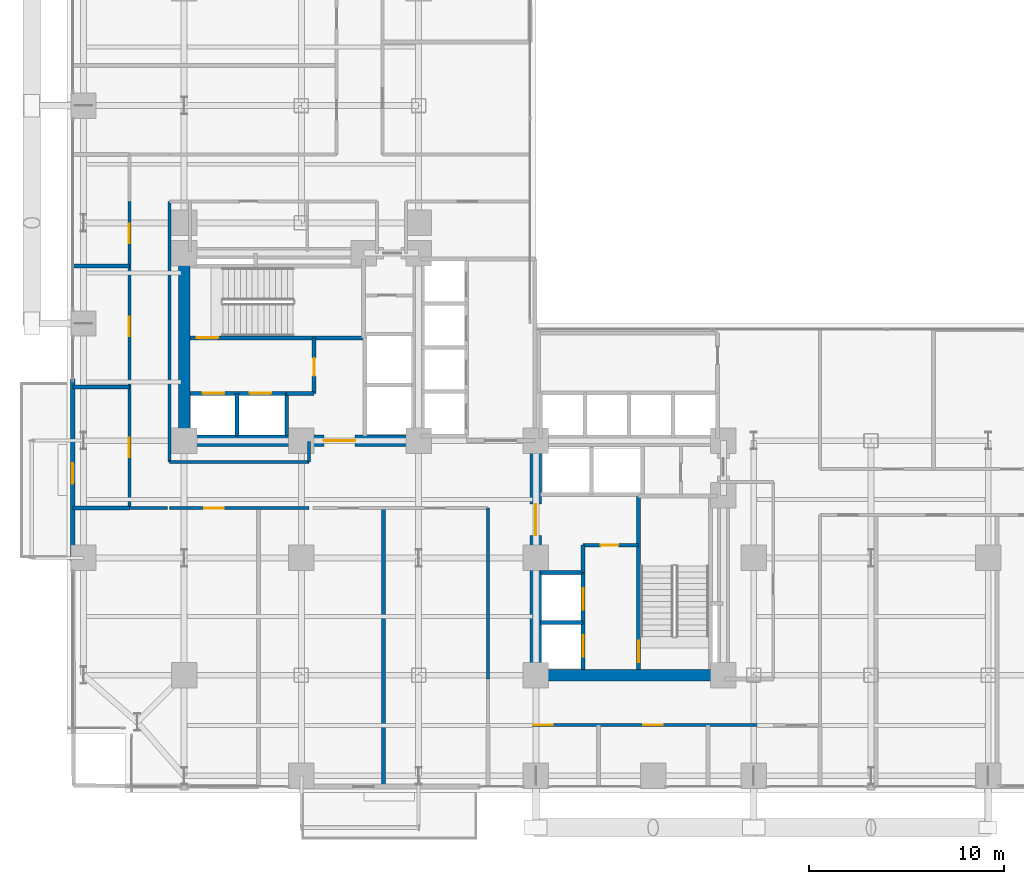
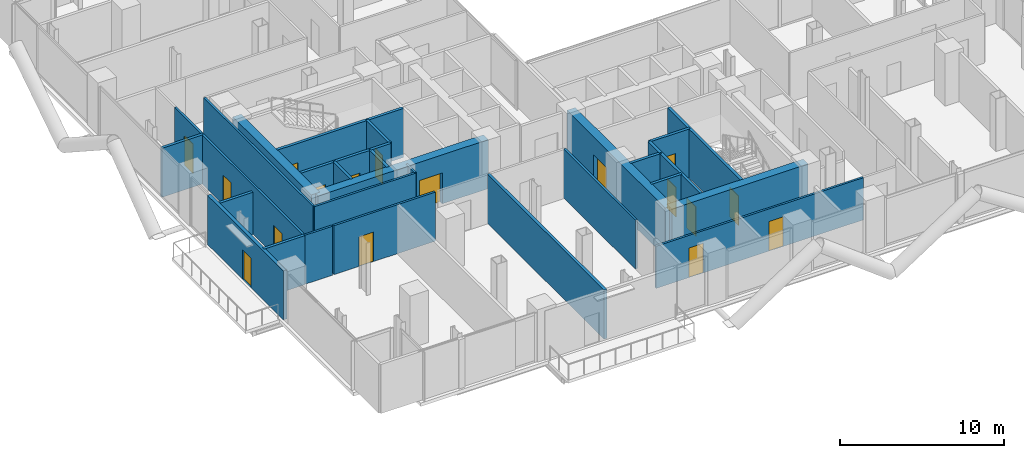
# One storey, part 20 of 25: 29 walls, 17 doors, 17 openings.
"""IFC4 building model written with IfcOpenShell, lengths in metres."""

from ifc_helpers import new_model, si_unit, direction, frame, frame_2d, origin, place, context, subcontext, project, spatial, rectangle, extrude, material, layer, layer_set, type_object, element, fill, save


model = new_model("IFC4")

# Units and contexts
model_context = context("Model", 3, precision=1e-05, world=origin(), true_north=direction((0.0, 1.0)))
body_context = subcontext(model_context, "Body", "Model", "MODEL_VIEW")
ifc_project = project(units=[si_unit("LENGTHUNIT", "METRE"), si_unit("AREAUNIT", "SQUARE_METRE"), si_unit("VOLUMEUNIT", "CUBIC_METRE"), si_unit("PLANEANGLEUNIT", "RADIAN"), si_unit("MASSUNIT", "GRAM", prefix="KILO"), si_unit("THERMODYNAMICTEMPERATUREUNIT", "KELVIN"), si_unit("POWERUNIT", "WATT")], contexts=[model_context])

# Site, building, storey
site_placement = place(None, origin())
site = spatial("IfcSite", under=ifc_project, at=site_placement, CompositionType="ELEMENT")
building_placement = place(site_placement, origin())
building = spatial("IfcBuilding", under=site, at=building_placement, Name="Svarakhadi Broadcast Tower", CompositionType="ELEMENT")
storey_placement = place(building_placement, frame((0.0, 0.0, 67.5)))
storey = spatial("IfcBuildingStorey", under=building, at=storey_placement, Name="L15", CompositionType="ELEMENT", Elevation=67.5)

# Walls
ifc_material_1 = material(Name="Double-Stud Acoustic Studio Partition STC-62", Category="gypsum")
ifc_layer_1 = layer(ifc_material_1, 0.199951171875)
ifc_layer_set_1 = layer_set([ifc_layer_1], Name="Double-Stud Acoustic Studio Partition STC-62")
wall_type_1 = type_object("IfcWallType", Name="Wall_Acoust_200", PredefinedType="PARTITIONING", material=ifc_layer_set_1)
wall_1_placement = place(storey_placement, frame((16.199951171875, 0.300048828125, 0.0), z_axis=(0.0, 0.0, 1.0), x_axis=(0.0, 1.0, 0.0)))
element("IfcWall", 1, at=wall_1_placement, inside=storey, type_object=wall_type_1, Name="L15 Central Commercial Catering Kitchen Wall", PredefinedType="PARTITIONING", context=body_context, shape_type="SweptSolid", body=[
    extrude(rectangle(XDim=14.25, YDim=0.199951171875, at=frame_2d((7.125, 0.0))), origin(), (0.0, 0.0, 1.0), 3.64990234375),
])
wall_2_placement = place(storey_placement, frame((0.300048828125, 14.550048828125, 0.0), z_axis=(0.0, 0.0, 1.0), x_axis=(1.0, 0.0, 0.0)))
element("IfcWall", 2, at=wall_2_placement, inside=storey, type_object=wall_type_1, Name="L15 Arabian Sea Commentary Booth Wall", PredefinedType="PARTITIONING", context=body_context, shape_type="SweptSolid", body=[
    extrude(rectangle(XDim=2.89990234375, YDim=0.199951171875, at=frame_2d((1.449951171875, 0.0))), origin(), (0.0, 0.0, 1.0), 3.64990234375),
])
wall_3_placement = place(storey_placement, frame((0.300048828125, 20.75, 0.0), z_axis=(0.0, 0.0, 1.0), x_axis=(1.0, 0.0, 0.0)))
element("IfcWall", 3, at=wall_3_placement, inside=storey, type_object=wall_type_1, Name="L15 Arabian Sea Commentary Booth Wall", PredefinedType="PARTITIONING", context=body_context, shape_type="SweptSolid", body=[
    extrude(rectangle(XDim=2.89990234375, YDim=0.199951171875, at=frame_2d((1.449951171875, 0.0))), origin(), (0.0, 0.0, 1.0), 3.14208984375),
])
wall_4_placement = place(storey_placement, frame((0.300048828125, 26.949951171875, 0.0), z_axis=(0.0, 0.0, 1.0), x_axis=(1.0, 0.0, 0.0)))
element("IfcWall", 4, at=wall_4_placement, inside=storey, type_object=wall_type_1, Name="L15 Live Translation Studio Wall", PredefinedType="PARTITIONING", context=body_context, shape_type="SweptSolid", body=[
    extrude(rectangle(XDim=2.89990234375, YDim=0.199951171875, at=frame_2d((1.449951171875, 0.0))), origin(), (0.0, 0.0, 1.0), 3.64990234375),
])

# Wall, opening, door
ifc_material_2 = material(Name="Concrete C40/50 (IS 456 M50)", Category="concrete")
ifc_layer_2 = layer(ifc_material_2, 0.239990234375)
ifc_layer_set_2 = layer_set([ifc_layer_2], Name="Concrete C40/50 (IS 456 M50)")
wall_type_2 = type_object("IfcWallType", Name="Wall_Ext_240", PredefinedType="SOLIDWALL", material=ifc_layer_set_2)
wall_5_placement = place(storey_placement, frame((0.300048828125, 11.85498046875, 0.0), z_axis=(0.0, 0.0, 1.0), x_axis=(0.0, 1.0, 0.0)))
wall_5 = element("IfcWall", 5, at=wall_5_placement, inside=storey, type_object=wall_type_2, Name="L15 West Tree Balcony Spandrel Wall", PredefinedType="SOLIDWALL", context=body_context, shape_type="SweptSolid", body=[
    extrude(rectangle(XDim=9.2900390625, YDim=0.239990234375, at=frame_2d((4.64501953125, 0.0))), origin(), (0.0, 0.0, 1.0), 3.64990234375),
])
opening_1_placement = place(wall_5_placement, frame((3.945068359375, 0.0, 0.0)))
opening_1 = element("IfcOpeningElement", 6, at=opening_1_placement, cuts=wall_5, Name="Opening ED-06", PredefinedType="OPENING", context=body_context, shape_type="SweptSolid", body=[
    extrude(rectangle(XDim=1.050048828125, YDim=2.199951171875, at=frame_2d((0.52490234375, 1.10009765625))), frame((0.0, 0.1298828125, 0.0), z_axis=(0.0, -1.0, 0.0), x_axis=(1.0, 0.0, 0.0)), (0.0, 0.0, 1.0), 0.260009765625),
])
ifc_material_3 = material(Name="Anodised Bronze Aluminium AA 6063-T6", Category="aluminium")
door_type_1 = type_object("IfcDoorType", Name="Door_Ext_ED06", OperationType="SINGLE_SWING_RIGHT", PredefinedType="DOOR", material=ifc_material_3)
door_1_placement = place(opening_1_placement, origin())
door_1 = element("IfcDoor", 7, at=door_1_placement, inside=storey, type_object=door_type_1, Name="L15 West Tree Balcony Door", OperationType="SINGLE_SWING_RIGHT", OverallHeight=2.199951171875, OverallWidth=1.050048828125, PredefinedType="DOOR", context=body_context, shape_type="SweptSolid", body=[
    extrude(rectangle(XDim=1.050048828125, YDim=2.199951171875, at=frame_2d((0.52490234375, 1.10009765625))), frame((0.0, 0.02490234375, 0.0), z_axis=(0.0, -1.0, 0.0), x_axis=(1.0, 0.0, 0.0)), (0.0, 0.0, 1.0), 0.050048828125),
])
fill(opening_1, door_1)

# Wall, openings, doors
ifc_material_4 = material(Name="Autoclaved Aerated Concrete Blockwork 150 mm", Category="masonry")
ifc_layer_3 = layer(ifc_material_4, 0.14990234375)
ifc_layer_set_3 = layer_set([ifc_layer_3], Name="Autoclaved Aerated Concrete Blockwork 150 mm")
wall_type_3 = type_object("IfcWallType", Name="Wall_Part_150", PredefinedType="PARTITIONING", material=ifc_layer_set_3)
wall_6_placement = place(storey_placement, frame((36.14990234375, 3.449951171875, 0.0), z_axis=(0.0, 0.0, 1.0), x_axis=(-1.0, 0.0, 0.0)))
wall_6 = element("IfcWall", 8, at=wall_6_placement, inside=storey, type_object=wall_type_3, Name="L15 Broadcast Corridor Wall", PredefinedType="PARTITIONING", context=body_context, shape_type="SweptSolid", body=[
    extrude(rectangle(XDim=14.599853515625, YDim=0.14990234375, at=frame_2d((7.2998046875, 0.0))), origin(), (0.0, 0.0, 1.0), 3.14208984375),
])
opening_2_placement = place(wall_6_placement, frame((11.27490234375, 0.0, 0.0)))
opening_2 = element("IfcOpeningElement", 9, at=opening_2_placement, cuts=wall_6, Name="Opening D-09", PredefinedType="OPENING", context=body_context, shape_type="SweptSolid", body=[
    extrude(rectangle(XDim=1.0, YDim=2.199951171875, at=frame_2d((0.5, 1.10009765625))), frame((0.0, 0.0849609375, 0.0), z_axis=(0.0, -1.0, 0.0), x_axis=(1.0, 0.0, 0.0)), (0.0, 0.0, 1.0), 0.169921875),
])
opening_3_placement = place(wall_6_placement, frame((5.64990234375, 0.0, 0.0)))
opening_3 = element("IfcOpeningElement", 10, at=opening_3_placement, cuts=wall_6, Name="Opening D-08", PredefinedType="OPENING", context=body_context, shape_type="SweptSolid", body=[
    extrude(rectangle(XDim=1.0, YDim=2.199951171875, at=frame_2d((0.5, 1.10009765625))), frame((0.0, 0.0849609375, 0.0), z_axis=(0.0, -1.0, 0.0), x_axis=(1.0, 0.0, 0.0)), (0.0, 0.0, 1.0), 0.169921875),
])
ifc_material_5 = material(Name="Solid-Core Teak Veneer Acoustic Timber Leaf", Category="wood")
door_type_2 = type_object("IfcDoorType", Name="Door_Suite_D08", OperationType="SINGLE_SWING_LEFT", PredefinedType="DOOR", material=ifc_material_5)
door_2_placement = place(opening_3_placement, origin())
door_2 = element("IfcDoor", 11, at=door_2_placement, inside=storey, type_object=door_type_2, Name="L15 Media Legal Review Office Door", OperationType="SINGLE_SWING_LEFT", OverallHeight=2.199951171875, OverallWidth=1.0, PredefinedType="DOOR", context=body_context, shape_type="SweptSolid", body=[
    extrude(rectangle(XDim=1.0, YDim=2.199951171875, at=frame_2d((0.5, 1.10009765625))), frame((0.0, 0.02490234375, 0.0), z_axis=(0.0, -1.0, 0.0), x_axis=(1.0, 0.0, 0.0)), (0.0, 0.0, 1.0), 0.050048828125),
])
fill(opening_3, door_2)
door_type_3 = type_object("IfcDoorType", Name="Door_Suite_D09", OperationType="SINGLE_SWING_RIGHT", PredefinedType="DOOR", material=ifc_material_5)
door_3_placement = place(opening_2_placement, origin())
door_3 = element("IfcDoor", 12, at=door_3_placement, inside=storey, type_object=door_type_3, Name="L15 South Harbour Editorial Desk Door", OperationType="SINGLE_SWING_RIGHT", OverallHeight=2.199951171875, OverallWidth=1.0, PredefinedType="DOOR", context=body_context, shape_type="SweptSolid", body=[
    extrude(rectangle(XDim=1.0, YDim=2.199951171875, at=frame_2d((0.5, 1.10009765625))), frame((0.0, 0.02490234375, 0.0), z_axis=(0.0, -1.0, 0.0), x_axis=(1.0, 0.0, 0.0)), (0.0, 0.0, 1.0), 0.050048828125),
])
fill(opening_2, door_3)

# Wall
wall_7_placement = place(storey_placement, frame((21.550048828125, 5.800048828125, 0.0), z_axis=(0.0, 0.0, 1.0), x_axis=(0.0, 1.0, 0.0)))
element("IfcWall", 13, at=wall_7_placement, inside=storey, type_object=wall_type_3, Name="L15 Broadcast Corridor Wall", PredefinedType="PARTITIONING", context=body_context, shape_type="SweptSolid", body=[
    extrude(rectangle(XDim=8.75, YDim=0.14990234375, at=frame_2d((4.375, 0.0))), origin(), (0.0, 0.0, 1.0), 3.64990234375),
])

# Wall, opening, door
wall_8_placement = place(storey_placement, frame((12.39990234375, 14.550048828125, 0.0), z_axis=(0.0, 0.0, 1.0), x_axis=(-1.0, 0.0, 0.0)))
wall_8 = element("IfcWall", 14, at=wall_8_placement, inside=storey, type_object=wall_type_3, Name="L15 Broadcast Corridor Wall", PredefinedType="PARTITIONING", context=body_context, shape_type="SweptSolid", body=[
    extrude(rectangle(XDim=7.14990234375, YDim=0.14990234375, at=frame_2d((3.574951171875, 0.0))), origin(), (0.0, 0.0, 1.0), 3.64990234375),
])
opening_4_placement = place(wall_8_placement, frame((4.375, 0.0, 0.0)))
opening_4 = element("IfcOpeningElement", 15, at=opening_4_placement, cuts=wall_8, Name="Opening D-09", PredefinedType="OPENING", context=body_context, shape_type="SweptSolid", body=[
    extrude(rectangle(XDim=1.0, YDim=2.199951171875, at=frame_2d((0.5, 1.10009765625))), frame((0.0, 0.0849609375, 0.0), z_axis=(0.0, -1.0, 0.0), x_axis=(1.0, 0.0, 0.0)), (0.0, 0.0, 1.0), 0.169921875),
])
door_4_placement = place(opening_4_placement, origin())
door_4 = element("IfcDoor", 16, at=door_4_placement, inside=storey, type_object=door_type_3, Name="L15 Waterfront Broadcast Staff Dining Hall Door", OperationType="SINGLE_SWING_RIGHT", OverallHeight=2.199951171875, OverallWidth=1.0, PredefinedType="DOOR", context=body_context, shape_type="SweptSolid", body=[
    extrude(rectangle(XDim=1.0, YDim=2.199951171875, at=frame_2d((0.5, 1.10009765625))), frame((0.0, 0.02490234375, 0.0), z_axis=(0.0, -1.0, 0.0), x_axis=(1.0, 0.0, 0.0)), (0.0, 0.0, 1.0), 0.050048828125),
])
fill(opening_4, door_4)

# Wall
wall_9_placement = place(storey_placement, frame((5.14990234375, 14.550048828125, 0.0), z_axis=(0.0, 0.0, 1.0), x_axis=(-1.0, 0.0, 0.0)))
element("IfcWall", 17, at=wall_9_placement, inside=storey, type_object=wall_type_3, Name="L15 Broadcast Corridor Wall", PredefinedType="PARTITIONING", context=body_context, shape_type="SweptSolid", body=[
    extrude(rectangle(XDim=1.949951171875, YDim=0.14990234375, at=frame_2d((0.97509765625, 0.0))), origin(), (0.0, 0.0, 1.0), 3.64990234375),
])

# Wall, openings, doors
wall_10_placement = place(storey_placement, frame((3.199951171875, 14.550048828125, 0.0), z_axis=(0.0, 0.0, 1.0), x_axis=(0.0, 1.0, 0.0)))
wall_10 = element("IfcWall", 18, at=wall_10_placement, inside=storey, type_object=wall_type_3, Name="L15 Broadcast Corridor Wall", PredefinedType="PARTITIONING", context=body_context, shape_type="SweptSolid", body=[
    extrude(rectangle(XDim=15.699951171875, YDim=0.14990234375, at=frame_2d((7.85009765625, 0.0))), origin(), (0.0, 0.0, 1.0), 3.64990234375),
])
opening_5_placement = place(wall_10_placement, frame((2.60009765625, 0.0, 0.0)))
opening_5 = element("IfcOpeningElement", 19, at=opening_5_placement, cuts=wall_10, Name="Opening D-08", PredefinedType="OPENING", context=body_context, shape_type="SweptSolid", body=[
    extrude(rectangle(XDim=1.0, YDim=2.199951171875, at=frame_2d((0.5, 1.10009765625))), frame((0.0, 0.0849609375, 0.0), z_axis=(0.0, -1.0, 0.0), x_axis=(1.0, 0.0, 0.0)), (0.0, 0.0, 1.0), 0.169921875),
])
opening_6_placement = place(wall_10_placement, frame((8.800048828125, 0.0, 0.0)))
opening_6 = element("IfcOpeningElement", 20, at=opening_6_placement, cuts=wall_10, Name="Opening D-09", PredefinedType="OPENING", context=body_context, shape_type="SweptSolid", body=[
    extrude(rectangle(XDim=1.0, YDim=2.199951171875, at=frame_2d((0.5, 1.10009765625))), frame((0.0, 0.0849609375, 0.0), z_axis=(0.0, -1.0, 0.0), x_axis=(1.0, 0.0, 0.0)), (0.0, 0.0, 1.0), 0.169921875),
])
opening_7_placement = place(wall_10_placement, frame((13.550048828125, 0.0, 0.0)))
opening_7 = element("IfcOpeningElement", 21, at=opening_7_placement, cuts=wall_10, Name="Opening D-08", PredefinedType="OPENING", context=body_context, shape_type="SweptSolid", body=[
    extrude(rectangle(XDim=1.0, YDim=2.199951171875, at=frame_2d((0.5, 1.10009765625))), frame((0.0, 0.0849609375, 0.0), z_axis=(0.0, -1.0, 0.0), x_axis=(1.0, 0.0, 0.0)), (0.0, 0.0, 1.0), 0.169921875),
])
door_5_placement = place(opening_5_placement, origin())
door_5 = element("IfcDoor", 22, at=door_5_placement, inside=storey, type_object=door_type_2, Name="L15 Arabian Sea Commentary Booth Door", OperationType="SINGLE_SWING_LEFT", OverallHeight=2.199951171875, OverallWidth=1.0, PredefinedType="DOOR", context=body_context, shape_type="SweptSolid", body=[
    extrude(rectangle(XDim=1.0, YDim=2.199951171875, at=frame_2d((0.5, 1.10009765625))), frame((0.0, 0.02490234375, 0.0), z_axis=(0.0, -1.0, 0.0), x_axis=(1.0, 0.0, 0.0)), (0.0, 0.0, 1.0), 0.050048828125),
])
fill(opening_5, door_5)
door_6_placement = place(opening_7_placement, origin())
door_6 = element("IfcDoor", 23, at=door_6_placement, inside=storey, type_object=door_type_2, Name="L15 Producer Quiet Lounge Door", OperationType="SINGLE_SWING_LEFT", OverallHeight=2.199951171875, OverallWidth=1.0, PredefinedType="DOOR", context=body_context, shape_type="SweptSolid", body=[
    extrude(rectangle(XDim=1.0, YDim=2.199951171875, at=frame_2d((0.5, 1.10009765625))), frame((0.0, 0.02490234375, 0.0), z_axis=(0.0, -1.0, 0.0), x_axis=(1.0, 0.0, 0.0)), (0.0, 0.0, 1.0), 0.050048828125),
])
fill(opening_7, door_6)
door_7_placement = place(opening_6_placement, origin())
door_7 = element("IfcDoor", 24, at=door_7_placement, inside=storey, type_object=door_type_3, Name="L15 Live Translation Studio Door", OperationType="SINGLE_SWING_RIGHT", OverallHeight=2.199951171875, OverallWidth=1.0, PredefinedType="DOOR", context=body_context, shape_type="SweptSolid", body=[
    extrude(rectangle(XDim=1.0, YDim=2.199951171875, at=frame_2d((0.5, 1.10009765625))), frame((0.0, 0.02490234375, 0.0), z_axis=(0.0, -1.0, 0.0), x_axis=(1.0, 0.0, 0.0)), (0.0, 0.0, 1.0), 0.050048828125),
])
fill(opening_6, door_7)

# Walls
wall_11_placement = place(storey_placement, frame((5.25, 30.25, 0.0), z_axis=(0.0, 0.0, 1.0), x_axis=(0.0, -1.0, 0.0)))
element("IfcWall", 25, at=wall_11_placement, inside=storey, type_object=wall_type_3, Name="L15 Broadcast Corridor Wall", PredefinedType="PARTITIONING", context=body_context, shape_type="SweptSolid", body=[
    extrude(rectangle(XDim=13.35009765625, YDim=0.14990234375, at=frame_2d((6.675048828125, 0.0))), origin(), (0.0, 0.0, 1.0), 3.64990234375),
])
wall_12_placement = place(storey_placement, frame((5.25, 16.89990234375, 0.0), z_axis=(0.0, 0.0, 1.0), x_axis=(1.0, 0.0, 0.0)))
element("IfcWall", 26, at=wall_12_placement, inside=storey, type_object=wall_type_3, Name="L15 Broadcast Corridor Wall", PredefinedType="PARTITIONING", context=body_context, shape_type="SweptSolid", body=[
    extrude(rectangle(XDim=7.14990234375, YDim=0.14990234375, at=frame_2d((3.574951171875, 0.0))), origin(), (0.0, 0.0, 1.0), 3.64990234375),
])
wall_13_placement = place(storey_placement, frame((12.39990234375, 16.89990234375, 0.0), z_axis=(0.0, 0.0, 1.0), x_axis=(0.0, 1.0, 0.0)))
element("IfcWall", 27, at=wall_13_placement, inside=storey, type_object=wall_type_3, Name="L15 Broadcast Corridor Wall", PredefinedType="PARTITIONING", context=body_context, shape_type="SweptSolid", body=[
    extrude(rectangle(XDim=1.050048828125, YDim=0.14990234375, at=frame_2d((0.52490234375, 0.0))), origin(), (0.0, 0.0, 1.0), 3.64990234375),
])

# Wall, opening, door
ifc_material_6 = material(Name="Concrete C50/60 (IS 456 M60)", Category="concrete")
ifc_layer_4 = layer(ifc_material_6, 0.199951171875)
ifc_layer_set_4 = layer_set([ifc_layer_4], Name="Concrete C50/60 (IS 456 M60)")
wall_type_4 = type_object("IfcWallType", Name="Wall_Shear_200", PredefinedType="SHEAR", material=ifc_layer_set_4)
wall_14_placement = place(storey_placement, frame((6.300048828125, 23.260009765625, 0.0), z_axis=(0.0, 0.0, 1.0), x_axis=(1.0, 0.0, 0.0)))
wall_14 = element("IfcWall", 28, at=wall_14_placement, inside=storey, type_object=wall_type_4, Name="L15 Stair ST-01 South RC Shaft Wall", PredefinedType="SHEAR", context=body_context, shape_type="SweptSolid", body=[
    extrude(rectangle(XDim=8.8798828125, YDim=0.199951171875, at=frame_2d((4.43994140625, 0.0))), origin(), (0.0, 0.0, 1.0), 3.64990234375),
])
opening_8_placement = place(wall_14_placement, frame((0.35009765625, 0.0, 0.0)))
opening_8 = element("IfcOpeningElement", 29, at=opening_8_placement, cuts=wall_14, Name="Opening D-01", PredefinedType="OPENING", context=body_context, shape_type="SweptSolid", body=[
    extrude(rectangle(XDim=1.10009765625, YDim=2.199951171875, at=frame_2d((0.550048828125, 1.10009765625))), frame((0.0, 0.10986328125, 0.0), z_axis=(0.0, -1.0, 0.0), x_axis=(1.0, 0.0, 0.0)), (0.0, 0.0, 1.0), 0.219970703125),
])
ifc_material_7 = material(Name="Galvanised Powder-Coated Fire-Rated Steel Leaf", Category="steel")
door_type_4 = type_object("IfcDoorType", Name="Door_Stair_D01", OperationType="SINGLE_SWING_LEFT", PredefinedType="DOOR", material=ifc_material_7)
door_8_placement = place(opening_8_placement, origin())
door_8 = element("IfcDoor", 30, at=door_8_placement, inside=storey, type_object=door_type_4, Name="L15 Protected Exit Stair ST-01 Fire Door", OperationType="SINGLE_SWING_LEFT", OverallHeight=2.199951171875, OverallWidth=1.10009765625, PredefinedType="DOOR", context=body_context, shape_type="SweptSolid", body=[
    extrude(rectangle(XDim=1.10009765625, YDim=2.199951171875, at=frame_2d((0.550048828125, 1.10009765625))), frame((0.0, 0.02490234375, 0.0), z_axis=(0.0, -1.0, 0.0), x_axis=(1.0, 0.0, 0.0)), (0.0, 0.0, 1.0), 0.050048828125),
])
fill(opening_8, door_8)

wall_15_placement = place(storey_placement, frame((29.260009765625, 6.300048828125, 0.0), z_axis=(0.0, 0.0, 1.0), x_axis=(0.0, 1.0, 0.0)))
wall_15 = element("IfcWall", 31, at=wall_15_placement, inside=storey, type_object=wall_type_4, Name="L15 Stair ST-02 West RC Shaft Wall", PredefinedType="SHEAR", context=body_context, shape_type="SweptSolid", body=[
    extrude(rectangle(XDim=8.8798828125, YDim=0.199951171875, at=frame_2d((4.43994140625, 0.0))), origin(), (0.0, 0.0, 1.0), 3.64990234375),
])
opening_9_placement = place(wall_15_placement, frame((0.35009765625, 0.0, 0.0)))
opening_9 = element("IfcOpeningElement", 32, at=opening_9_placement, cuts=wall_15, Name="Opening D-02", PredefinedType="OPENING", context=body_context, shape_type="SweptSolid", body=[
    extrude(rectangle(XDim=1.10009765625, YDim=2.199951171875, at=frame_2d((0.550048828125, 1.10009765625))), frame((0.0, 0.10986328125, 0.0), z_axis=(0.0, -1.0, 0.0), x_axis=(1.0, 0.0, 0.0)), (0.0, 0.0, 1.0), 0.219970703125),
])
door_type_5 = type_object("IfcDoorType", Name="Door_Stair_D02", OperationType="SINGLE_SWING_RIGHT", PredefinedType="DOOR", material=ifc_material_7)
door_9_placement = place(opening_9_placement, origin())
door_9 = element("IfcDoor", 33, at=door_9_placement, inside=storey, type_object=door_type_5, Name="L15 Protected Exit Stair ST-02 Fire Door", OperationType="SINGLE_SWING_RIGHT", OverallHeight=2.199951171875, OverallWidth=1.10009765625, PredefinedType="DOOR", context=body_context, shape_type="SweptSolid", body=[
    extrude(rectangle(XDim=1.10009765625, YDim=2.199951171875, at=frame_2d((0.550048828125, 1.10009765625))), frame((0.0, 0.02490234375, 0.0), z_axis=(0.0, -1.0, 0.0), x_axis=(1.0, 0.0, 0.0)), (0.0, 0.0, 1.0), 0.050048828125),
])
fill(opening_9, door_9)

# Wall, openings, doors
wall_16_placement = place(storey_placement, frame((6.300048828125, 20.419921875, 0.0), z_axis=(0.0, 0.0, 1.0), x_axis=(1.0, 0.0, 0.0)))
wall_16 = element("IfcWall", 34, at=wall_16_placement, inside=storey, type_object=wall_type_4, Name="L15 Firefighting Lift LF-01/02 Shaft Wall", PredefinedType="SHEAR", context=body_context, shape_type="SweptSolid", body=[
    extrude(rectangle(XDim=4.949951171875, YDim=0.199951171875, at=frame_2d((2.47509765625, 0.0))), origin(), (0.0, 0.0, 1.0), 3.64990234375),
])
opening_10_placement = place(wall_16_placement, frame((0.64990234375, 0.0, 0.0)))
opening_10 = element("IfcOpeningElement", 35, at=opening_10_placement, cuts=wall_16, Name="Opening LD-01", PredefinedType="OPENING", context=body_context, shape_type="SweptSolid", body=[
    extrude(rectangle(XDim=1.10009765625, YDim=2.199951171875, at=frame_2d((0.550048828125, 1.10009765625))), frame((0.0, 0.10986328125, 0.0), z_axis=(0.0, -1.0, 0.0), x_axis=(1.0, 0.0, 0.0)), (0.0, 0.0, 1.0), 0.219970703125),
])
opening_11_placement = place(wall_16_placement, frame((3.050048828125, 0.0, 0.0)))
opening_11 = element("IfcOpeningElement", 36, at=opening_11_placement, cuts=wall_16, Name="Opening LD-01", PredefinedType="OPENING", context=body_context, shape_type="SweptSolid", body=[
    extrude(rectangle(XDim=1.10009765625, YDim=2.199951171875, at=frame_2d((0.550048828125, 1.10009765625))), frame((0.0, 0.10986328125, 0.0), z_axis=(0.0, -1.0, 0.0), x_axis=(1.0, 0.0, 0.0)), (0.0, 0.0, 1.0), 0.219970703125),
])
door_type_6 = type_object("IfcDoorType", Name="Door_Lift_LD01", OperationType="SLIDING_TO_LEFT", PredefinedType="DOOR", material=ifc_material_7)
door_10_placement = place(opening_10_placement, origin())
door_10 = element("IfcDoor", 37, at=door_10_placement, inside=storey, type_object=door_type_6, Name="L15 Firefighting Lift LF-01 Landing Door", OperationType="SLIDING_TO_LEFT", OverallHeight=2.199951171875, OverallWidth=1.10009765625, PredefinedType="DOOR", context=body_context, shape_type="SweptSolid", body=[
    extrude(rectangle(XDim=1.10009765625, YDim=2.199951171875, at=frame_2d((0.550048828125, 1.10009765625))), frame((0.0, 0.02490234375, 0.0), z_axis=(0.0, -1.0, 0.0), x_axis=(1.0, 0.0, 0.0)), (0.0, 0.0, 1.0), 0.050048828125),
])
fill(opening_10, door_10)
door_11_placement = place(opening_11_placement, origin())
door_11 = element("IfcDoor", 38, at=door_11_placement, inside=storey, type_object=door_type_6, Name="L15 Firefighting Lift LF-02 Landing Door", OperationType="SLIDING_TO_LEFT", OverallHeight=2.199951171875, OverallWidth=1.10009765625, PredefinedType="DOOR", context=body_context, shape_type="SweptSolid", body=[
    extrude(rectangle(XDim=1.10009765625, YDim=2.199951171875, at=frame_2d((0.550048828125, 1.10009765625))), frame((0.0, 0.02490234375, 0.0), z_axis=(0.0, -1.0, 0.0), x_axis=(1.0, 0.0, 0.0)), (0.0, 0.0, 1.0), 0.050048828125),
])
fill(opening_11, door_11)

# Walls
for number, where, z_axis, x_axis, name in (
    (39, (8.699951171875, 18.25, 0.0), (0.0, 0.0, 1.0), (0.0, 1.0, 0.0), "L15 Firefighting Lift LF-01/02 Divider Wall"),
    (40, (11.25, 18.25, 0.0), (0.0, 0.0, 1.0), (0.0, 1.0, 0.0), "L15 Firefighting Lift LF-02 East Wall"),
):
    element("IfcWall", number, at=place(storey_placement, frame(where, z_axis=z_axis, x_axis=x_axis)), inside=storey, type_object=wall_type_4, Name=name, PredefinedType="SHEAR", context=body_context, shape_type="SweptSolid", body=[
        extrude(rectangle(XDim=2.169921875, YDim=0.199951171875, at=frame_2d((1.0849609375, 0.0))), origin(), (0.0, 0.0, 1.0), 3.64990234375),
    ])
wall_17_placement = place(storey_placement, frame((11.25, 20.419921875, 0.0), z_axis=(0.0, 0.0, 1.0), x_axis=(1.0, 0.0, 0.0)))
element("IfcWall", 41, at=wall_17_placement, inside=storey, type_object=wall_type_4, Name="L15 West Firefighting Lobby South Wall", PredefinedType="SHEAR", context=body_context, shape_type="SweptSolid", body=[
    extrude(rectangle(XDim=1.39990234375, YDim=0.199951171875, at=frame_2d((0.699951171875, 0.0))), origin(), (0.0, 0.0, 1.0), 3.64990234375),
])

# Wall, opening, door
wall_18_placement = place(storey_placement, frame((12.64990234375, 20.419921875, 0.0), z_axis=(0.0, 0.0, 1.0), x_axis=(0.0, 1.0, 0.0)))
wall_18 = element("IfcWall", 42, at=wall_18_placement, inside=storey, type_object=wall_type_4, Name="L15 West Firefighting Lobby East Wall", PredefinedType="SHEAR", context=body_context, shape_type="SweptSolid", body=[
    extrude(rectangle(XDim=2.840087890625, YDim=0.199951171875, at=frame_2d((1.419921875, 0.0))), origin(), (0.0, 0.0, 1.0), 3.64990234375),
])
opening_12_placement = place(wall_18_placement, frame((0.89990234375, 0.0, 0.0)))
opening_12 = element("IfcOpeningElement", 43, at=opening_12_placement, cuts=wall_18, Name="Opening D-03", PredefinedType="OPENING", context=body_context, shape_type="SweptSolid", body=[
    extrude(rectangle(XDim=0.89990234375, YDim=2.14990234375, at=frame_2d((0.449951171875, 1.074951171875))), frame((0.0, 0.10986328125, 0.0), z_axis=(0.0, -1.0, 0.0), x_axis=(1.0, 0.0, 0.0)), (0.0, 0.0, 1.0), 0.219970703125),
])
door_type_7 = type_object("IfcDoorType", Name="Door_Fire_D03", OperationType="SINGLE_SWING_LEFT", PredefinedType="DOOR", material=ifc_material_7)
door_12_placement = place(opening_12_placement, origin())
door_12 = element("IfcDoor", 44, at=door_12_placement, inside=storey, type_object=door_type_7, Name="L15 West Firefighting Lobby Fire Door", OperationType="SINGLE_SWING_LEFT", OverallHeight=2.14990234375, OverallWidth=0.89990234375, PredefinedType="DOOR", context=body_context, shape_type="SweptSolid", body=[
    extrude(rectangle(XDim=0.89990234375, YDim=2.14990234375, at=frame_2d((0.449951171875, 1.074951171875))), frame((0.0, 0.02490234375, 0.0), z_axis=(0.0, -1.0, 0.0), x_axis=(1.0, 0.0, 0.0)), (0.0, 0.0, 1.0), 0.050048828125),
])
fill(opening_12, door_12)

# Wall, openings, doors
wall_19_placement = place(storey_placement, frame((26.419921875, 6.300048828125, 0.0), z_axis=(0.0, 0.0, 1.0), x_axis=(0.0, 1.0, 0.0)))
wall_19 = element("IfcWall", 45, at=wall_19_placement, inside=storey, type_object=wall_type_4, Name="L15 Firefighting Lift LF-03/04 Shaft Wall", PredefinedType="SHEAR", context=body_context, shape_type="SweptSolid", body=[
    extrude(rectangle(XDim=4.949951171875, YDim=0.199951171875, at=frame_2d((2.47509765625, 0.0))), origin(), (0.0, 0.0, 1.0), 3.64990234375),
])
opening_13_placement = place(wall_19_placement, frame((0.64990234375, 0.0, 0.0)))
opening_13 = element("IfcOpeningElement", 46, at=opening_13_placement, cuts=wall_19, Name="Opening LD-01", PredefinedType="OPENING", context=body_context, shape_type="SweptSolid", body=[
    extrude(rectangle(XDim=1.10009765625, YDim=2.199951171875, at=frame_2d((0.550048828125, 1.10009765625))), frame((0.0, 0.10986328125, 0.0), z_axis=(0.0, -1.0, 0.0), x_axis=(1.0, 0.0, 0.0)), (0.0, 0.0, 1.0), 0.219970703125),
])
opening_14_placement = place(wall_19_placement, frame((3.050048828125, 0.0, 0.0)))
opening_14 = element("IfcOpeningElement", 47, at=opening_14_placement, cuts=wall_19, Name="Opening LD-01", PredefinedType="OPENING", context=body_context, shape_type="SweptSolid", body=[
    extrude(rectangle(XDim=1.10009765625, YDim=2.199951171875, at=frame_2d((0.550048828125, 1.10009765625))), frame((0.0, 0.10986328125, 0.0), z_axis=(0.0, -1.0, 0.0), x_axis=(1.0, 0.0, 0.0)), (0.0, 0.0, 1.0), 0.219970703125),
])
door_13_placement = place(opening_13_placement, origin())
door_13 = element("IfcDoor", 48, at=door_13_placement, inside=storey, type_object=door_type_6, Name="L15 Firefighting Lift LF-03 Landing Door", OperationType="SLIDING_TO_LEFT", OverallHeight=2.199951171875, OverallWidth=1.10009765625, PredefinedType="DOOR", context=body_context, shape_type="SweptSolid", body=[
    extrude(rectangle(XDim=1.10009765625, YDim=2.199951171875, at=frame_2d((0.550048828125, 1.10009765625))), frame((0.0, 0.02490234375, 0.0), z_axis=(0.0, -1.0, 0.0), x_axis=(1.0, 0.0, 0.0)), (0.0, 0.0, 1.0), 0.050048828125),
])
fill(opening_13, door_13)
door_14_placement = place(opening_14_placement, origin())
door_14 = element("IfcDoor", 49, at=door_14_placement, inside=storey, type_object=door_type_6, Name="L15 Firefighting Lift LF-04 Landing Door", OperationType="SLIDING_TO_LEFT", OverallHeight=2.199951171875, OverallWidth=1.10009765625, PredefinedType="DOOR", context=body_context, shape_type="SweptSolid", body=[
    extrude(rectangle(XDim=1.10009765625, YDim=2.199951171875, at=frame_2d((0.550048828125, 1.10009765625))), frame((0.0, 0.02490234375, 0.0), z_axis=(0.0, -1.0, 0.0), x_axis=(1.0, 0.0, 0.0)), (0.0, 0.0, 1.0), 0.050048828125),
])
fill(opening_14, door_14)

# Walls
for number, where, z_axis, x_axis, name in (
    (50, (24.25, 8.699951171875, 0.0), (0.0, 0.0, 1.0), (1.0, 0.0, 0.0), "L15 Firefighting Lift LF-03/04 Divider Wall"),
    (51, (24.25, 11.25, 0.0), (0.0, 0.0, 1.0), (1.0, 0.0, 0.0), "L15 Firefighting Lift LF-04 North Wall"),
):
    element("IfcWall", number, at=place(storey_placement, frame(where, z_axis=z_axis, x_axis=x_axis)), inside=storey, type_object=wall_type_4, Name=name, PredefinedType="SHEAR", context=body_context, shape_type="SweptSolid", body=[
        extrude(rectangle(XDim=2.169921875, YDim=0.199951171875, at=frame_2d((1.0849609375, 0.0))), origin(), (0.0, 0.0, 1.0), 3.64990234375),
    ])
wall_20_placement = place(storey_placement, frame((26.419921875, 11.25, 0.0), z_axis=(0.0, 0.0, 1.0), x_axis=(0.0, 1.0, 0.0)))
element("IfcWall", 52, at=wall_20_placement, inside=storey, type_object=wall_type_4, Name="L15 East Firefighting Lobby West Wall", PredefinedType="SHEAR", context=body_context, shape_type="SweptSolid", body=[
    extrude(rectangle(XDim=1.39990234375, YDim=0.199951171875, at=frame_2d((0.699951171875, 0.0))), origin(), (0.0, 0.0, 1.0), 3.64990234375),
])

# Wall, opening, door
wall_21_placement = place(storey_placement, frame((26.419921875, 12.64990234375, 0.0), z_axis=(0.0, 0.0, 1.0), x_axis=(1.0, 0.0, 0.0)))
wall_21 = element("IfcWall", 53, at=wall_21_placement, inside=storey, type_object=wall_type_4, Name="L15 East Firefighting Lobby North Wall", PredefinedType="SHEAR", context=body_context, shape_type="SweptSolid", body=[
    extrude(rectangle(XDim=2.840087890625, YDim=0.199951171875, at=frame_2d((1.419921875, 0.0))), origin(), (0.0, 0.0, 1.0), 3.64990234375),
])
opening_15_placement = place(wall_21_placement, frame((0.89990234375, 0.0, 0.0)))
opening_15 = element("IfcOpeningElement", 54, at=opening_15_placement, cuts=wall_21, Name="Opening D-04", PredefinedType="OPENING", context=body_context, shape_type="SweptSolid", body=[
    extrude(rectangle(XDim=0.89990234375, YDim=2.14990234375, at=frame_2d((0.449951171875, 1.074951171875))), frame((0.0, 0.10986328125, 0.0), z_axis=(0.0, -1.0, 0.0), x_axis=(1.0, 0.0, 0.0)), (0.0, 0.0, 1.0), 0.219970703125),
])
door_type_8 = type_object("IfcDoorType", Name="Door_Fire_D04", OperationType="SINGLE_SWING_RIGHT", PredefinedType="DOOR", material=ifc_material_7)
door_15_placement = place(opening_15_placement, origin())
door_15 = element("IfcDoor", 55, at=door_15_placement, inside=storey, type_object=door_type_8, Name="L15 East Firefighting Lobby Fire Door", OperationType="SINGLE_SWING_RIGHT", OverallHeight=2.14990234375, OverallWidth=0.89990234375, PredefinedType="DOOR", context=body_context, shape_type="SweptSolid", body=[
    extrude(rectangle(XDim=0.89990234375, YDim=2.14990234375, at=frame_2d((0.449951171875, 1.074951171875))), frame((0.0, 0.02490234375, 0.0), z_axis=(0.0, -1.0, 0.0), x_axis=(1.0, 0.0, 0.0)), (0.0, 0.0, 1.0), 0.050048828125),
])
fill(opening_15, door_15)

ifc_material_8 = material(Name="Concrete C60/75 (IS 456 M70)", Category="concrete")
ifc_layer_5 = layer(ifc_material_8, 0.60009765625)
ifc_layer_set_5 = layer_set([ifc_layer_5], Name="Concrete C60/75 (IS 456 M70)")
wall_type_5 = type_object("IfcWallType", Name="Wall_Shear_600", PredefinedType="SHEAR", material=ifc_layer_set_5)
wall_22_placement = place(storey_placement, frame((6.0, 18.0, 0.0), z_axis=(0.0, 0.0, 1.0), x_axis=(1.0, 0.0, 0.0)))
wall_22 = element("IfcWall", 56, at=wall_22_placement, inside=storey, type_object=wall_type_5, Name="L15 West Core South Shear Wall", PredefinedType="SHEAR", context=body_context, shape_type="SweptSolid", body=[
    extrude(rectangle(XDim=12.0, YDim=0.60009765625, at=frame_2d((6.0, 0.0))), origin(), (0.0, 0.0, 1.0), 3.64990234375),
])
opening_16_placement = place(wall_22_placement, frame((7.14990234375, 0.0, 0.0)))
opening_16 = element("IfcOpeningElement", 57, at=opening_16_placement, cuts=wall_22, Name="Opening D-05", PredefinedType="OPENING", context=body_context, shape_type="SweptSolid", body=[
    extrude(rectangle(XDim=1.60009765625, YDim=2.300048828125, at=frame_2d((0.800048828125, 1.14990234375))), frame((0.0, 0.31005859375, 0.0), z_axis=(0.0, -1.0, 0.0), x_axis=(1.0, 0.0, 0.0)), (0.0, 0.0, 1.0), 0.6201171875),
])
door_type_9 = type_object("IfcDoorType", Name="Door_Lobby_D05", OperationType="DOUBLE_DOOR_SLIDING", PredefinedType="DOOR", material=ifc_material_3)
door_16_placement = place(opening_16_placement, origin())
door_16 = element("IfcDoor", 58, at=door_16_placement, inside=storey, type_object=door_type_9, Name="L15 West Core Passenger Lift Lobby Entrance Door", OperationType="DOUBLE_DOOR_SLIDING", OverallHeight=2.300048828125, OverallWidth=1.60009765625, PredefinedType="DOOR", context=body_context, shape_type="SweptSolid", body=[
    extrude(rectangle(XDim=1.60009765625, YDim=2.300048828125, at=frame_2d((0.800048828125, 1.14990234375))), frame((0.0, 0.02490234375, 0.0), z_axis=(0.0, -1.0, 0.0), x_axis=(1.0, 0.0, 0.0)), (0.0, 0.0, 1.0), 0.050048828125),
])
fill(opening_16, door_16)

# Walls
for number, where, z_axis, x_axis, name in (
    (59, (6.0, 18.0, 0.0), (0.0, 0.0, 1.0), (0.0, 1.0, 0.0), "L15 West Core West Shear Wall"),
    (60, (24.0, 6.0, 0.0), (0.0, 0.0, 1.0), (1.0, 0.0, 0.0), "L15 East Core South Shear Wall"),
):
    element("IfcWall", number, at=place(storey_placement, frame(where, z_axis=z_axis, x_axis=x_axis)), inside=storey, type_object=wall_type_5, Name=name, PredefinedType="SHEAR", context=body_context, shape_type="SweptSolid", body=[
        extrude(rectangle(XDim=9.60009765625, YDim=0.60009765625, at=frame_2d((4.800048828125, 0.0))), origin(), (0.0, 0.0, 1.0), 3.64990234375),
    ])

# Wall, opening, door
wall_23_placement = place(storey_placement, frame((24.0, 6.0, 0.0), z_axis=(0.0, 0.0, 1.0), x_axis=(0.0, 1.0, 0.0)))
wall_23 = element("IfcWall", 61, at=wall_23_placement, inside=storey, type_object=wall_type_5, Name="L15 East Core West Shear Wall", PredefinedType="SHEAR", context=body_context, shape_type="SweptSolid", body=[
    extrude(rectangle(XDim=12.0, YDim=0.60009765625, at=frame_2d((6.0, 0.0))), origin(), (0.0, 0.0, 1.0), 3.64990234375),
])
opening_17_placement = place(wall_23_placement, frame((7.14990234375, 0.0, 0.0)))
opening_17 = element("IfcOpeningElement", 62, at=opening_17_placement, cuts=wall_23, Name="Opening D-05", PredefinedType="OPENING", context=body_context, shape_type="SweptSolid", body=[
    extrude(rectangle(XDim=1.60009765625, YDim=2.300048828125, at=frame_2d((0.800048828125, 1.14990234375))), frame((0.0, 0.31005859375, 0.0), z_axis=(0.0, -1.0, 0.0), x_axis=(1.0, 0.0, 0.0)), (0.0, 0.0, 1.0), 0.6201171875),
])
door_17_placement = place(opening_17_placement, origin())
door_17 = element("IfcDoor", 63, at=door_17_placement, inside=storey, type_object=door_type_9, Name="L15 East Core Passenger Lift Lobby Entrance Door", OperationType="DOUBLE_DOOR_SLIDING", OverallHeight=2.300048828125, OverallWidth=1.60009765625, PredefinedType="DOOR", context=body_context, shape_type="SweptSolid", body=[
    extrude(rectangle(XDim=1.60009765625, YDim=2.300048828125, at=frame_2d((0.800048828125, 1.14990234375))), frame((0.0, 0.02490234375, 0.0), z_axis=(0.0, -1.0, 0.0), x_axis=(1.0, 0.0, 0.0)), (0.0, 0.0, 1.0), 0.050048828125),
])
fill(opening_17, door_17)

save(model, "model.ifc")
